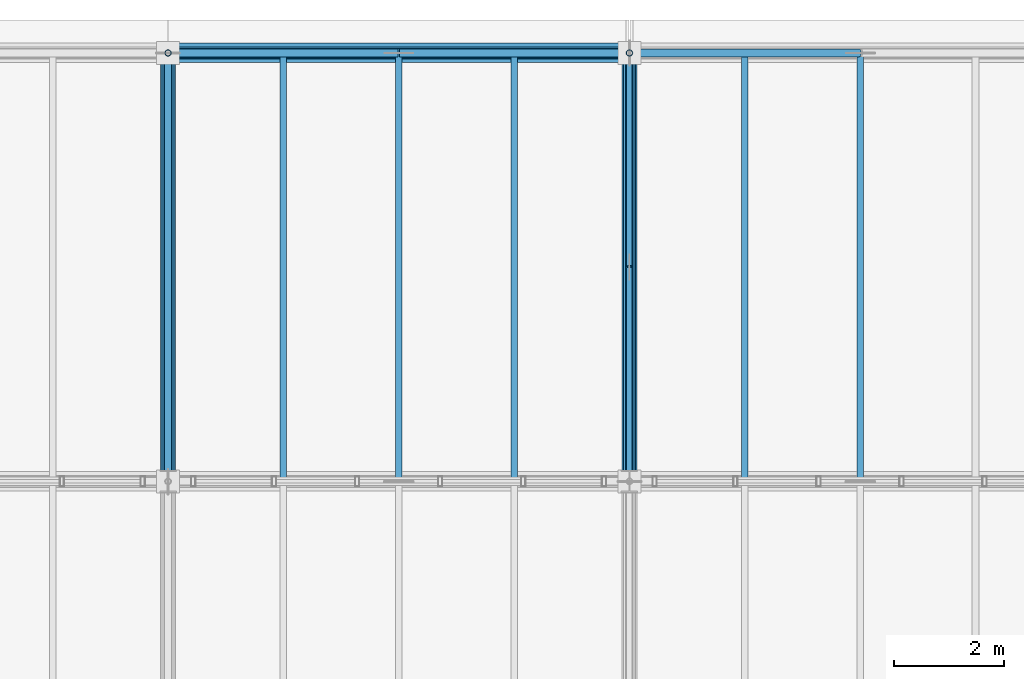
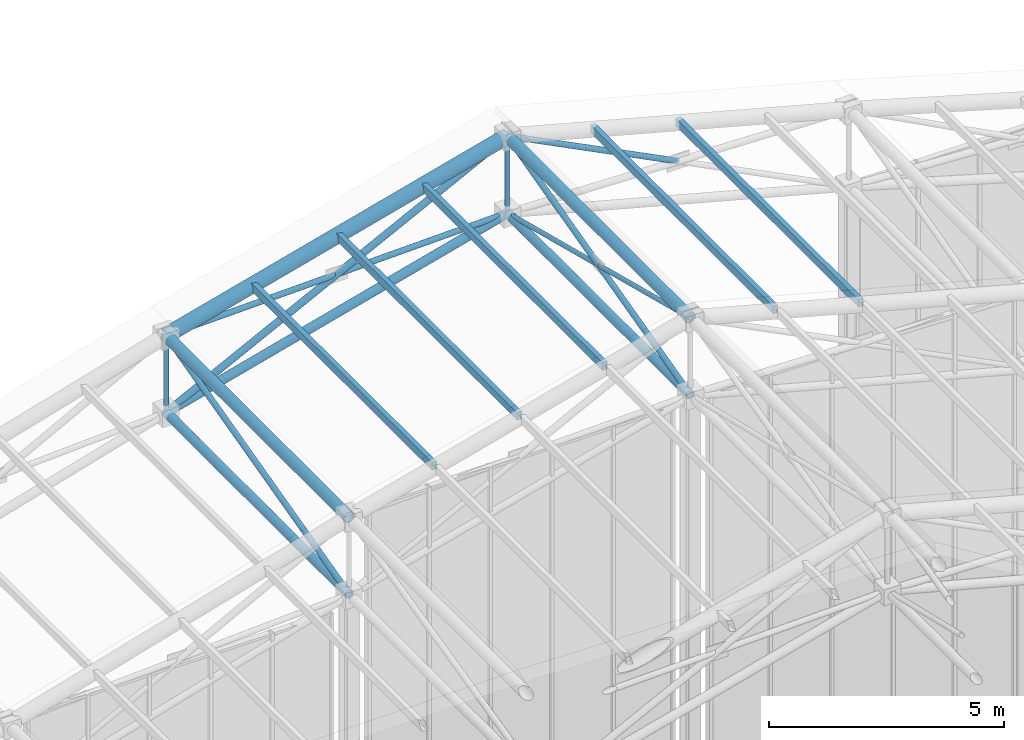
# One storey, part 75 of 144: 21 members.
"""IFC4 building model written with IfcOpenShell, lengths in metres."""

from ifc_helpers import new_model, si_unit, direction, frame, origin, origin_2d, place, context, subcontext, project, spatial, hollow_rectangle, hollow_circle, extrude, material, material_profile, profile_set, type_object, element, save


model = new_model("IFC4")

# Units and contexts
model_context = context("Model", 3, precision=1e-05, world=origin(), true_north=direction((0.0, 1.0)))
body_context = subcontext(model_context, "Body", "Model", "MODEL_VIEW")
ifc_project = project(units=[si_unit("LENGTHUNIT", "METRE"), si_unit("AREAUNIT", "SQUARE_METRE"), si_unit("VOLUMEUNIT", "CUBIC_METRE"), si_unit("PLANEANGLEUNIT", "RADIAN"), si_unit("MASSUNIT", "GRAM", prefix="KILO")], contexts=[model_context])

# Site, building, storey
site_placement = place(None, origin())
site = spatial("IfcSite", under=ifc_project, at=site_placement, CompositionType="ELEMENT")
building_placement = place(site_placement, origin())
building = spatial("IfcBuilding", under=site, at=building_placement, Name="Zayran Congress Hotel", CompositionType="ELEMENT")
storey_placement = place(building_placement, frame((0.0, 0.0, 19.199951171875)))
storey = spatial("IfcBuildingStorey", under=building, at=storey_placement, Name="L04", CompositionType="ELEMENT", Elevation=19.199951171875)

# Members
ifc_material = material(Name="Steel S355", Category="steel")
ifc_material_profile_1 = material_profile(ifc_material, hollow_circle(Radius=0.177734375, WallThickness=0.01611328125, at=origin_2d()), Name="CHS 355.6x16")
ifc_profile_set_1 = profile_set([ifc_material_profile_1], Name="Steel S355")
member_type_1 = type_object("IfcMemberType", Name="TP-SF-TC1", PredefinedType="CHORD", material=ifc_profile_set_1)
member_1_placement = place(storey_placement, frame((42.0, 117.39990234375, 12.35205078125), z_axis=(0.965947299715, 0.0, 0.258738891884), x_axis=(0.0, 1.0, 0.0)))
element("IfcMember", 1, at=member_1_placement, inside=storey, type_object=member_type_1, Name="Space Frame Top Chord X 267", PredefinedType="CHORD", context=body_context, shape_type="SweptSolid", body=[
    extrude(hollow_circle(Radius=0.177734375, WallThickness=0.01611328125, at=origin_2d()), origin(), (0.0, 0.0, 1.0), 8.696044921875),
])
ifc_material_profile_2 = material_profile(ifc_material, hollow_circle(Radius=0.136474609375, WallThickness=0.012451171875, at=origin_2d()), Name="CHS 273x12.5")
ifc_profile_set_2 = profile_set([ifc_material_profile_2], Name="Steel S355")
member_type_2 = type_object("IfcMemberType", Name="TP-SF-TC2", PredefinedType="CHORD", material=ifc_profile_set_2)
for number, where, z_axis, x_axis, name in (
    (2, (42.0, 109.60009765625, 12.35205078125), (0.0, 1.0, 0.0), (-1.0, 0.0, 0.0), "Space Frame Top Chord Y 263"),
    (3, (50.39990234375, 109.60009765625, 14.60205078125), (0.0, 1.0, 0.0), (-1.0, 0.0, 0.0), "Space Frame Top Chord Y 321"),
):
    element("IfcMember", number, at=place(storey_placement, frame(where, z_axis=z_axis, x_axis=x_axis)), inside=storey, type_object=member_type_2, Name=name, PredefinedType="CHORD", context=body_context, shape_type="SweptSolid", body=[
        extrude(hollow_circle(Radius=0.136474609375, WallThickness=0.012451171875, at=origin_2d()), origin(), (0.0, 0.0, 1.0), 7.7998046875),
    ])
ifc_material_profile_3 = material_profile(ifc_material, hollow_circle(Radius=0.109619140625, WallThickness=0.010009765625, at=origin_2d()), Name="CHS 219.1x10")
ifc_profile_set_3 = profile_set([ifc_material_profile_3], Name="Steel S355")
member_type_3 = type_object("IfcMemberType", Name="TP-SF-BC1", PredefinedType="CHORD", material=ifc_profile_set_3)
member_2_placement = place(storey_placement, frame((42.0, 109.60009765625, 10.35009765625), z_axis=(0.0, 1.0, 0.0), x_axis=(-1.0, 0.0, 0.0)))
element("IfcMember", 4, at=member_2_placement, inside=storey, type_object=member_type_3, Name="Space Frame Bottom Chord Y 264", PredefinedType="CHORD", context=body_context, shape_type="SweptSolid", body=[
    extrude(hollow_circle(Radius=0.109619140625, WallThickness=0.010009765625, at=origin_2d()), origin(), (0.0, 0.0, 1.0), 7.7998046875),
])
member_3_placement = place(storey_placement, frame((42.0, 117.39990234375, 10.35009765625), z_axis=(0.965947299715, 0.0, 0.258738891884), x_axis=(0.0, 1.0, 0.0)))
element("IfcMember", 5, at=member_3_placement, inside=storey, type_object=member_type_3, Name="Space Frame Bottom Chord X 268", PredefinedType="CHORD", context=body_context, shape_type="SweptSolid", body=[
    extrude(hollow_circle(Radius=0.109619140625, WallThickness=0.010009765625, at=origin_2d()), origin(), (0.0, 0.0, 1.0), 8.696044921875),
])
member_4_placement = place(storey_placement, frame((50.39990234375, 109.60009765625, 12.60009765625), z_axis=(0.0, 1.0, 0.0), x_axis=(-1.0, 0.0, 0.0)))
element("IfcMember", 6, at=member_4_placement, inside=storey, type_object=member_type_3, Name="Space Frame Bottom Chord Y 322", PredefinedType="CHORD", context=body_context, shape_type="SweptSolid", body=[
    extrude(hollow_circle(Radius=0.109619140625, WallThickness=0.010009765625, at=origin_2d()), origin(), (0.0, 0.0, 1.0), 7.7998046875),
])
ifc_material_profile_4 = material_profile(ifc_material, hollow_circle(Radius=0.084228515625, WallThickness=0.008056640625, at=origin_2d()), Name="CHS 168.3x8")
ifc_profile_set_4 = profile_set([ifc_material_profile_4], Name="Steel S355")
member_type_4 = type_object("IfcMemberType", Name="TP-SF-DG1", PredefinedType="BRACE", material=ifc_profile_set_4)
member_5_placement = place(storey_placement, frame((42.0, 117.39990234375, 10.35009765625), z_axis=(0.892206892975, 0.0, 0.451626903681), x_axis=(0.0, 1.0, 0.0)))
element("IfcMember", 7, at=member_5_placement, inside=storey, type_object=member_type_4, Name="Space Frame Web Diagonal X 269", PredefinedType="BRACE", context=body_context, shape_type="SweptSolid", body=[
    extrude(hollow_circle(Radius=0.084228515625, WallThickness=0.008056640625, at=origin_2d()), origin(), (0.0, 0.0, 1.0), 9.414794921875),
])
ifc_material_profile_5 = material_profile(ifc_material, hollow_circle(Radius=0.06982421875, WallThickness=0.00634765625, at=origin_2d()), Name="CHS 139.7x6.3")
ifc_profile_set_5 = profile_set([ifc_material_profile_5], Name="Steel S355")
member_type_5 = type_object("IfcMemberType", Name="TP-SF-DG2", PredefinedType="BRACE", material=ifc_profile_set_5)
member_6_placement = place(storey_placement, frame((42.0, 109.60009765625, 10.35009765625), z_axis=(0.0, 0.968603987179, 0.248608760951), x_axis=(-1.0, 0.0, 0.0)))
element("IfcMember", 8, at=member_6_placement, inside=storey, type_object=member_type_5, Name="Space Frame Web Diagonal Y 265", PredefinedType="BRACE", context=body_context, shape_type="SweptSolid", body=[
    extrude(hollow_circle(Radius=0.06982421875, WallThickness=0.00634765625, at=origin_2d()), origin(), (0.0, 0.0, 1.0), 8.052734375),
])
member_7_placement = place(storey_placement, frame((42.0, 117.39990234375, 12.35205078125), z_axis=(0.999564624123, 0.0, 0.029505291087), x_axis=(0.0, 1.0, 0.0)))
element("IfcMember", 9, at=member_7_placement, inside=storey, type_object=member_type_5, Name="Space Frame Counter Diagonal X Upper 270", PredefinedType="BRACE", context=body_context, shape_type="SweptSolid", body=[
    extrude(hollow_circle(Radius=0.06982421875, WallThickness=0.00634765625, at=origin_2d()), origin(), (0.0, 0.0, 1.0), 4.186767578125),
])
member_8_placement = place(storey_placement, frame((46.215087890625, 117.39990234375, 12.4765625), z_axis=(0.999564573355, 0.0, 0.029507010916), x_axis=(0.0, 1.0, 0.0)))
element("IfcMember", 10, at=member_8_placement, inside=storey, type_object=member_type_5, Name="Space Frame Counter Diagonal X Lower 41", PredefinedType="BRACE", context=body_context, shape_type="SweptSolid", body=[
    extrude(hollow_circle(Radius=0.06982421875, WallThickness=0.00634765625, at=origin_2d()), origin(), (0.0, 0.0, 1.0), 4.1865234375),
])
member_9_placement = place(storey_placement, frame((50.39990234375, 109.60009765625, 12.60009765625), z_axis=(0.0, 0.968603987179, 0.248608760951), x_axis=(-1.0, 0.0, 0.0)))
element("IfcMember", 11, at=member_9_placement, inside=storey, type_object=member_type_5, Name="Space Frame Web Diagonal Y 323", PredefinedType="BRACE", context=body_context, shape_type="SweptSolid", body=[
    extrude(hollow_circle(Radius=0.06982421875, WallThickness=0.00634765625, at=origin_2d()), origin(), (0.0, 0.0, 1.0), 8.052734375),
])
member_10_placement = place(storey_placement, frame((50.39990234375, 117.39990234375, 14.60205078125), z_axis=(0.892220848392, 0.0, -0.451599333142), x_axis=(0.0, 1.0, 0.0)))
element("IfcMember", 12, at=member_10_placement, inside=storey, type_object=member_type_5, Name="Space Frame Counter Diagonal X Upper 329", PredefinedType="BRACE", context=body_context, shape_type="SweptSolid", body=[
    extrude(hollow_circle(Radius=0.06982421875, WallThickness=0.00634765625, at=origin_2d()), origin(), (0.0, 0.0, 1.0), 4.692626953125),
])
ifc_material_profile_6 = material_profile(ifc_material, hollow_circle(Radius=0.05712890625, WallThickness=0.00634765625, at=origin_2d()), Name="CHS 114.3x6.3")
ifc_profile_set_6 = profile_set([ifc_material_profile_6], Name="Steel S355")
member_type_6 = type_object("IfcMemberType", Name="TP-SF-DG3", PredefinedType="BRACE", material=ifc_profile_set_6)
member_11_placement = place(storey_placement, frame((42.0, 117.39990234375, 10.35009765625), z_axis=(0.0, 0.0, 1.0), x_axis=(0.0, 1.0, 0.0)))
element("IfcMember", 13, at=member_11_placement, inside=storey, type_object=member_type_6, Name="Space Frame Web Strut 271", PredefinedType="BRACE", context=body_context, shape_type="SweptSolid", body=[
    extrude(hollow_circle(Radius=0.05712890625, WallThickness=0.00634765625, at=origin_2d()), origin(), (0.0, 0.0, 1.0), 2.001953125),
])
for number, where, z_axis, x_axis, name in (
    (14, (50.39990234375, 109.60009765625, 14.60205078125), (0.0, 0.968601886158, -0.248616946588), (-1.0, 0.0, 0.0), "Space Frame Bracing Diagonal Y Upper 324"),
    (15, (50.39990234375, 113.514404296875, 13.597412109375), (0.0, 0.968601886158, -0.248616946588), (-1.0, 0.0, 0.0), "Space Frame Bracing Diagonal Y Lower 53"),
):
    element("IfcMember", number, at=place(storey_placement, frame(where, z_axis=z_axis, x_axis=x_axis)), inside=storey, type_object=member_type_6, Name=name, PredefinedType="BRACE", context=body_context, shape_type="SweptSolid", body=[
        extrude(hollow_circle(Radius=0.05712890625, WallThickness=0.00634765625, at=origin_2d()), origin(), (0.0, 0.0, 1.0), 4.011474609375),
    ])
member_12_placement = place(storey_placement, frame((50.39990234375, 117.39990234375, 12.60009765625), z_axis=(0.0, 0.0, 1.0), x_axis=(0.0, 1.0, 0.0)))
element("IfcMember", 16, at=member_12_placement, inside=storey, type_object=member_type_6, Name="Space Frame Web Strut 330", PredefinedType="BRACE", context=body_context, shape_type="SweptSolid", body=[
    extrude(hollow_circle(Radius=0.05712890625, WallThickness=0.00634765625, at=origin_2d()), origin(), (0.0, 0.0, 1.0), 2.001953125),
])
ifc_material_profile_7 = material_profile(ifc_material, hollow_rectangle(XDim=0.1201171875, YDim=0.199951171875, WallThickness=0.008056640625, at=origin_2d()), Name="RHS 200x120x8")
ifc_profile_set_7 = profile_set([ifc_material_profile_7], Name="Steel S355")
member_type_7 = type_object("IfcMemberType", Name="TP-PR-01", PredefinedType="PURLIN", material=ifc_profile_set_7)
for number, where, z_axis, x_axis, name in (
    (17, (44.10009765625, 109.60009765625, 12.95654296875), (0.0, 1.0, 0.0), (-1.0, 0.0, 0.0), "MEM-PR-V1-0078"),
    (18, (46.199951171875, 109.60009765625, 13.51904296875), (0.0, 1.0, 0.0), (-1.0, 0.0, 0.0), "MEM-PR-V1-0084"),
    (19, (48.300048828125, 109.60009765625, 14.08154296875), (0.0, 1.0, 0.0), (-1.0, 0.0, 0.0), "MEM-PR-V1-0090"),
    (20, (52.5, 109.60009765625, 14.08154296875), (0.0, 1.0, 0.0), (-1.0, 0.0, 0.0), "MEM-PR-V1-0096"),
    (21, (54.60009765625, 109.60009765625, 13.51904296875), (0.0, 1.0, 0.0), (-1.0, 0.0, 0.0), "MEM-PR-V1-0102"),
):
    element("IfcMember", number, at=place(storey_placement, frame(where, z_axis=z_axis, x_axis=x_axis)), inside=storey, type_object=member_type_7, Name=name, PredefinedType="PURLIN", context=body_context, shape_type="SweptSolid", body=[
        extrude(hollow_rectangle(XDim=0.1201171875, YDim=0.199951171875, WallThickness=0.008056640625, at=origin_2d()), origin(), (0.0, 0.0, 1.0), 7.7998046875),
    ])

save(model, "model.ifc")
